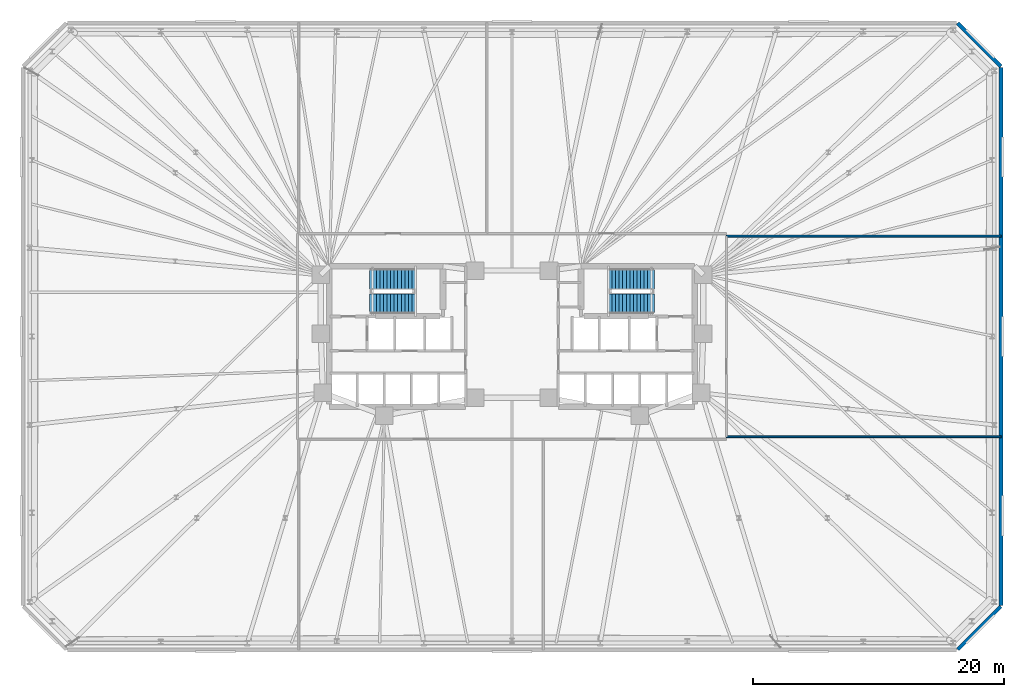
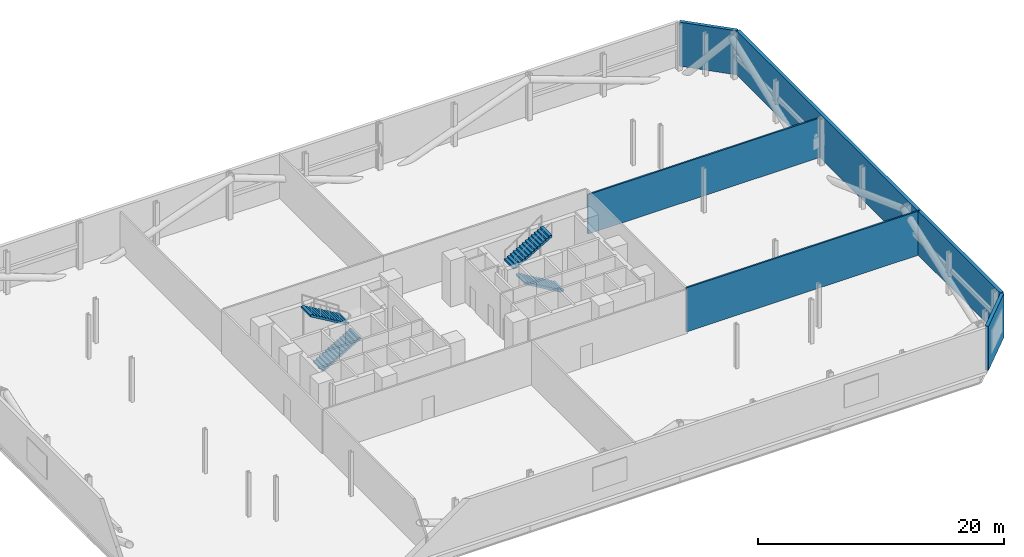
# One storey, part 16 of 17: 5 walls, 4 stair flights, 2 elements without a shape of their own.
"""IFC4 building model written with IfcOpenShell, lengths in metres."""

from ifc_helpers import new_model, si_unit, direction, frame, frame_2d, origin, place, context, subcontext, project, spatial, polyline, rectangle, outline, extrude, material, layer, layer_set, type_object, element, aggregate, save


model = new_model("IFC4")

# Units and contexts
model_context = context("Model", 3, precision=1e-05, world=origin(), true_north=direction((0.0, 1.0)))
body_context = subcontext(model_context, "Body", "Model", "MODEL_VIEW")
ifc_project = project(units=[si_unit("LENGTHUNIT", "METRE"), si_unit("AREAUNIT", "SQUARE_METRE"), si_unit("VOLUMEUNIT", "CUBIC_METRE"), si_unit("PLANEANGLEUNIT", "RADIAN"), si_unit("MASSUNIT", "GRAM", prefix="KILO")], contexts=[model_context])

# Site, building, storey
site_placement = place(None, origin())
site = spatial("IfcSite", under=ifc_project, at=site_placement, CompositionType="ELEMENT")
building_placement = place(site_placement, origin())
building = spatial("IfcBuilding", under=site, at=building_placement, Name="Menara Jurai Vektor", CompositionType="ELEMENT")
storey_placement = place(building_placement, frame((0.0, 0.0, 9.60009765625)))
storey = spatial("IfcBuildingStorey", under=building, at=storey_placement, Name="L01", CompositionType="ELEMENT", Elevation=9.60009765625)

# Walls
ifc_material_1 = material(Name="Insulated Pale Aluminium Spandrel Wall", Category="aluminium")
ifc_layer_1 = layer(ifc_material_1, 0.300048828125)
ifc_layer_set_1 = layer_set([ifc_layer_1], Name="Insulated Pale Aluminium Spandrel Wall")
wall_type_1 = type_object("IfcWallType", Name="ENV-WALL-EXT300", PredefinedType="STANDARD", material=ifc_layer_set_1)
wall_1_placement = place(storey_placement, frame((35.53173828125, -24.96826171875, 0.0), z_axis=(0.0, 0.0, 1.0), x_axis=(0.707106781187, 0.707106781187, 0.0)))
element("IfcWall", 1, at=wall_1_placement, inside=storey, type_object=wall_type_1, Name="Plant Floor Enclosure Wall L01-02", PredefinedType="STANDARD", context=body_context, shape_type="SweptSolid", body=[
    extrude(rectangle(XDim=4.85986328125, YDim=0.300048828125, at=frame_2d((2.429931640625, 0.0))), origin(), (0.0, 0.0, 1.0), 4.375),
])
wall_2_placement = place(storey_placement, frame((39.0, -21.455078125, 0.0), z_axis=(0.0, 0.0, 1.0), x_axis=(0.0, 1.0, 0.0)))
element("IfcWall", 2, at=wall_2_placement, inside=storey, type_object=wall_type_1, Name="Plant Floor Enclosure Wall L01-03", PredefinedType="STANDARD", context=body_context, shape_type="SweptSolid", body=[
    extrude(rectangle(XDim=42.91015625, YDim=0.300048828125, at=frame_2d((21.455078125, 0.0))), origin(), (0.0, 0.0, 1.0), 4.375),
])
wall_3_placement = place(storey_placement, frame((38.96826171875, 21.53173828125, 0.0), z_axis=(0.0, 0.0, 1.0), x_axis=(-0.707106781187, 0.707106781187, 0.0)))
element("IfcWall", 3, at=wall_3_placement, inside=storey, type_object=wall_type_1, Name="Plant Floor Enclosure Wall L01-04", PredefinedType="STANDARD", context=body_context, shape_type="SweptSolid", body=[
    extrude(rectangle(XDim=4.85986328125, YDim=0.300048828125, at=frame_2d((2.429931640625, 0.0))), origin(), (0.0, 0.0, 1.0), 4.375),
])
ifc_material_2 = material(Name="Gypsum Fireboard Partition", Category="gypsum")
ifc_layer_2 = layer(ifc_material_2, 0.14990234375)
ifc_layer_set_2 = layer_set([ifc_layer_2], Name="Gypsum Fireboard Partition")
wall_type_2 = type_object("IfcWallType", Name="INT-WALL-CORR-150", PredefinedType="PARTITIONING", material=ifc_layer_set_2)
wall_4_placement = place(storey_placement, frame((17.10009765625, -8.0, 0.0), z_axis=(0.0, 0.0, 1.0), x_axis=(1.0, 0.0, 0.0)))
element("IfcWall", 4, at=wall_4_placement, inside=storey, type_object=wall_type_2, Name="Interior Wall IW-150 L01", PredefinedType="PARTITIONING", context=body_context, shape_type="SweptSolid", body=[
    extrude(rectangle(XDim=21.89990234375, YDim=0.14990234375, at=frame_2d((10.949951171875, 0.0))), origin(), (0.0, 0.0, 1.0), 4.375),
])
ifc_layer_3 = layer(ifc_material_2, 0.14990234375)
ifc_layer_set_3 = layer_set([ifc_layer_3], Name="Gypsum Fireboard Partition")
wall_type_3 = type_object("IfcWallType", Name="INT-WALL-CORR-150-H1", PredefinedType="PARTITIONING", material=ifc_layer_set_3)
wall_5_placement = place(storey_placement, frame((17.10009765625, 8.0, 0.0), z_axis=(0.0, 0.0, 1.0), x_axis=(1.0, 0.0, 0.0)))
element("IfcWall", 5, at=wall_5_placement, inside=storey, type_object=wall_type_3, Name="Interior Wall IW-150 L01", PredefinedType="PARTITIONING", context=body_context, shape_type="SweptSolid", body=[
    extrude(rectangle(XDim=21.89990234375, YDim=0.14990234375, at=frame_2d((10.949951171875, 0.0))), origin(), (0.0, 0.0, 1.0), 3.9248046875),
])

# Stair, stair flights
ifc_material_3 = material(Name="Concrete C40/50", Category="concrete")
stair_type = type_object("IfcStairType", Name="STAIR-DOGLEG-1500", PredefinedType="HALF_TURN_STAIR", material=ifc_material_3)
stair_1_placement = place(storey_placement, origin())
stair_1 = element("IfcStair", 6, at=stair_1_placement, inside=storey, type_object=stair_type, Name="Protected Exit Stair ST1 L01", PredefinedType="HALF_TURN_STAIR")
stair_flight_type = type_object("IfcStairFlightType", Name="STAIR-FLIGHT-1500", PredefinedType="STRAIGHT", material=ifc_material_3)
stair_flight_1_placement = place(storey_placement, frame((-11.35009765625, 2.64990234375, 0.0), z_axis=(0.0, 0.0, 1.0), x_axis=(1.0, 0.0, 0.0)))
stair_flight_1 = element("IfcStairFlight", 7, at=stair_flight_1_placement, type_object=stair_flight_type, Name="ST1 flight 1", NumberOfRisers=14, NumberOfTreads=13, PredefinedType="STRAIGHT", RiserHeight=0.164286, TreadLength=0.28, context=body_context, shape_type="SweptSolid", body=[
    extrude(outline(polyline([(0.0, 0.0), (0.0, 0.164306640625), (0.280029296875, 0.164306640625), (0.280029296875, 0.32861328125), (0.56005859375, 0.32861328125), (0.56005859375, 0.492919921875), (0.840087890625, 0.492919921875), (0.840087890625, 0.6572265625), (1.1201171875, 0.6572265625), (1.1201171875, 0.821533203125), (1.39990234375, 0.821533203125), (1.39990234375, 0.985595703125), (1.679931640625, 0.985595703125), (1.679931640625, 1.14990234375), (1.9599609375, 1.14990234375), (1.9599609375, 1.314208984375), (2.239990234375, 1.314208984375), (2.239990234375, 1.478515625), (2.52001953125, 1.478515625), (2.52001953125, 1.642822265625), (2.800048828125, 1.642822265625), (2.800048828125, 1.80712890625), (3.080078125, 1.80712890625), (3.080078125, 1.971435546875), (3.360107421875, 1.971435546875), (3.360107421875, 2.1357421875), (3.639892578125, 2.1357421875), (3.639892578125, 2.300048828125), (3.639892578125, 1.9501953125), (0.31591796875, 0.0), (0.0, 0.0)])), frame((0.0, 0.75, 0.0), z_axis=(0.0, -1.0, 0.0), x_axis=(1.0, 0.0, 0.0)), (0.0, 0.0, 1.0), 1.5),
])
stair_flight_2_placement = place(storey_placement, frame((-7.7099609375, 4.550048828125, 2.2998046875), z_axis=(0.0, 0.0, 1.0), x_axis=(-1.0, 0.0, 0.0)))
stair_flight_2 = element("IfcStairFlight", 8, at=stair_flight_2_placement, type_object=stair_flight_type, Name="ST1 flight 2", NumberOfRisers=14, NumberOfTreads=13, PredefinedType="STRAIGHT", RiserHeight=0.164286, TreadLength=0.28, context=body_context, shape_type="SweptSolid", body=[
    extrude(outline(polyline([(0.0, 0.0), (0.0, 0.164306640625), (0.280029296875, 0.164306640625), (0.280029296875, 0.32861328125), (0.56005859375, 0.32861328125), (0.56005859375, 0.492919921875), (0.840087890625, 0.492919921875), (0.840087890625, 0.6572265625), (1.1201171875, 0.6572265625), (1.1201171875, 0.821533203125), (1.39990234375, 0.821533203125), (1.39990234375, 0.985595703125), (1.679931640625, 0.985595703125), (1.679931640625, 1.14990234375), (1.9599609375, 1.14990234375), (1.9599609375, 1.314208984375), (2.239990234375, 1.314208984375), (2.239990234375, 1.478515625), (2.52001953125, 1.478515625), (2.52001953125, 1.642822265625), (2.800048828125, 1.642822265625), (2.800048828125, 1.80712890625), (3.080078125, 1.80712890625), (3.080078125, 1.971435546875), (3.360107421875, 1.971435546875), (3.360107421875, 2.1357421875), (3.639892578125, 2.1357421875), (3.639892578125, 2.300048828125), (3.639892578125, 1.9501953125), (0.31591796875, 0.0), (0.0, 0.0)])), frame((0.0, 0.75, 0.0), z_axis=(0.0, -1.0, 0.0), x_axis=(1.0, 0.0, 0.0)), (0.0, 0.0, 1.0), 1.5),
])
aggregate(stair_1, [stair_flight_1, stair_flight_2])

stair_2_placement = place(storey_placement, origin())
stair_2 = element("IfcStair", 9, at=stair_2_placement, inside=storey, type_object=stair_type, Name="Protected Exit Stair ST2 L01", PredefinedType="HALF_TURN_STAIR")
stair_flight_3_placement = place(storey_placement, frame((11.35009765625, 2.64990234375, 0.0), z_axis=(0.0, 0.0, 1.0), x_axis=(-1.0, 0.0, 0.0)))
stair_flight_3 = element("IfcStairFlight", 10, at=stair_flight_3_placement, type_object=stair_flight_type, Name="ST2 flight 1", NumberOfRisers=14, NumberOfTreads=13, PredefinedType="STRAIGHT", RiserHeight=0.164286, TreadLength=0.28, context=body_context, shape_type="SweptSolid", body=[
    extrude(outline(polyline([(0.0, 0.0), (0.0, 0.164306640625), (0.280029296875, 0.164306640625), (0.280029296875, 0.32861328125), (0.56005859375, 0.32861328125), (0.56005859375, 0.492919921875), (0.840087890625, 0.492919921875), (0.840087890625, 0.6572265625), (1.1201171875, 0.6572265625), (1.1201171875, 0.821533203125), (1.39990234375, 0.821533203125), (1.39990234375, 0.985595703125), (1.679931640625, 0.985595703125), (1.679931640625, 1.14990234375), (1.9599609375, 1.14990234375), (1.9599609375, 1.314208984375), (2.239990234375, 1.314208984375), (2.239990234375, 1.478515625), (2.52001953125, 1.478515625), (2.52001953125, 1.642822265625), (2.800048828125, 1.642822265625), (2.800048828125, 1.80712890625), (3.080078125, 1.80712890625), (3.080078125, 1.971435546875), (3.360107421875, 1.971435546875), (3.360107421875, 2.1357421875), (3.639892578125, 2.1357421875), (3.639892578125, 2.300048828125), (3.639892578125, 1.9501953125), (0.31591796875, 0.0), (0.0, 0.0)])), frame((0.0, 0.75, 0.0), z_axis=(0.0, -1.0, 0.0), x_axis=(1.0, 0.0, 0.0)), (0.0, 0.0, 1.0), 1.5),
])
stair_flight_4_placement = place(storey_placement, frame((7.7099609375, 4.550048828125, 2.2998046875), z_axis=(0.0, 0.0, 1.0), x_axis=(1.0, 0.0, 0.0)))
stair_flight_4 = element("IfcStairFlight", 11, at=stair_flight_4_placement, type_object=stair_flight_type, Name="ST2 flight 2", NumberOfRisers=14, NumberOfTreads=13, PredefinedType="STRAIGHT", RiserHeight=0.164286, TreadLength=0.28, context=body_context, shape_type="SweptSolid", body=[
    extrude(outline(polyline([(0.0, 0.0), (0.0, 0.164306640625), (0.280029296875, 0.164306640625), (0.280029296875, 0.32861328125), (0.56005859375, 0.32861328125), (0.56005859375, 0.492919921875), (0.840087890625, 0.492919921875), (0.840087890625, 0.6572265625), (1.1201171875, 0.6572265625), (1.1201171875, 0.821533203125), (1.39990234375, 0.821533203125), (1.39990234375, 0.985595703125), (1.679931640625, 0.985595703125), (1.679931640625, 1.14990234375), (1.9599609375, 1.14990234375), (1.9599609375, 1.314208984375), (2.239990234375, 1.314208984375), (2.239990234375, 1.478515625), (2.52001953125, 1.478515625), (2.52001953125, 1.642822265625), (2.800048828125, 1.642822265625), (2.800048828125, 1.80712890625), (3.080078125, 1.80712890625), (3.080078125, 1.971435546875), (3.360107421875, 1.971435546875), (3.360107421875, 2.1357421875), (3.639892578125, 2.1357421875), (3.639892578125, 2.300048828125), (3.639892578125, 1.9501953125), (0.31591796875, 0.0), (0.0, 0.0)])), frame((0.0, 0.75, 0.0), z_axis=(0.0, -1.0, 0.0), x_axis=(1.0, 0.0, 0.0)), (0.0, 0.0, 1.0), 1.5),
])
aggregate(stair_2, [stair_flight_3, stair_flight_4])

save(model, "model.ifc")
